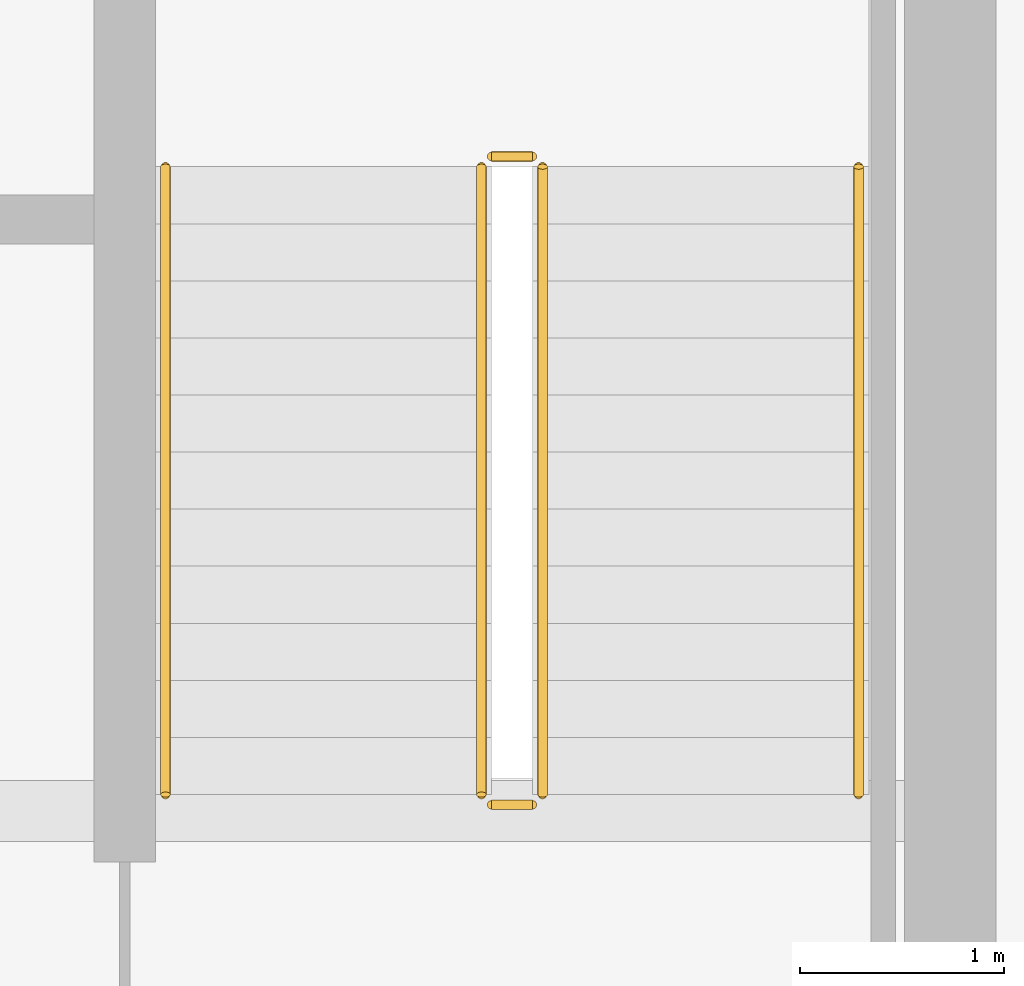
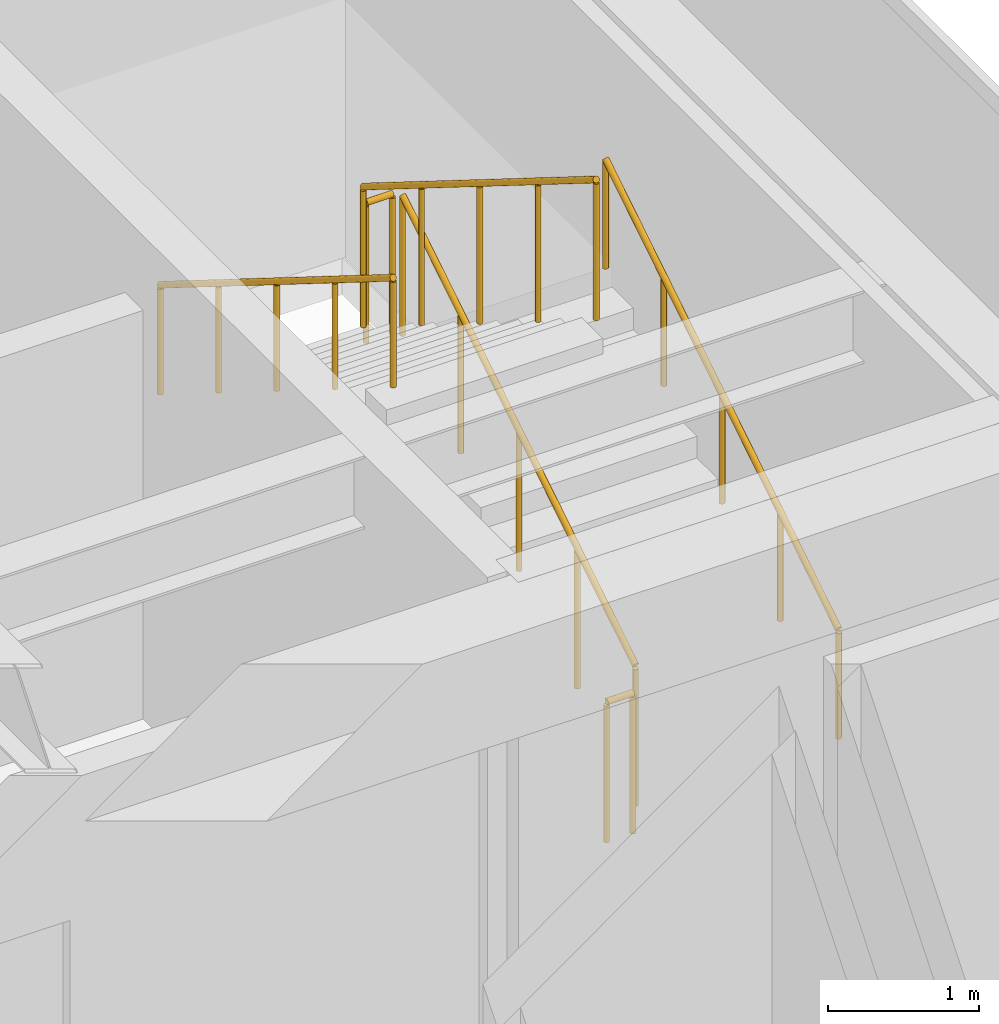
# One storey, part 31 of 32: 6 railings.
"""IFC4 building model written with IfcOpenShell, lengths in metres."""

import ifcopenshell
import ifcopenshell.guid

model = None  # the IFC model being written
_history = None  # IfcOwnerHistory: only IFC2X3 demands one
_inside = {}  # id of a spatial element -> (the spatial element, [elements in it])
_under = {}  # id of a project, library or spatial element -> (it, [spatial elements below it])
_declared = {}  # id of a project -> (the project, [libraries it declares])
_typed = {}  # id of a type object -> (the type object, [elements of that type])
_made_of = {}  # id of a material, layer set ... -> (it, [elements and type objects made of it])


def new_model(schema):
    """Start an empty IFC model of exactly this schema.

    Asked for "IFC4X3", IfcOpenShell would pick the latest addendum, in which some entities
    have other attributes; the version numbers below select the first issue.
    IFC2X3 requires an IfcOwnerHistory on every rooted entity: one is made here for all.
    """
    global model, _history
    if schema == "IFC4X3":
        model = ifcopenshell.file(schema_version=(4, 3, 0, 0))
    else:
        model = ifcopenshell.file(schema=schema)
    _inside.clear()
    _under.clear()
    _declared.clear()
    _typed.clear()
    _made_of.clear()
    _history = None
    if model.schema == "IFC2X3":
        org = make("IfcOrganization", Name="unknown")
        user = make(
            "IfcPersonAndOrganization",
            ThePerson=make("IfcPerson", FamilyName="unknown"),
            TheOrganization=org,
        )
        app = make(
            "IfcApplication",
            ApplicationDeveloper=org,
            Version="unknown",
            ApplicationFullName="unknown",
            ApplicationIdentifier="unknown",
        )
        _history = make(
            "IfcOwnerHistory",
            OwningUser=user,
            OwningApplication=app,
            ChangeAction="ADDED",
            CreationDate=0,
        )
    return model


def make(cls, **values):
    """One entity of the class cls with the attributes given. An attribute that is None is left unset."""
    return model.create_entity(
        cls, **{name: value for name, value in values.items() if value is not None}
    )


def rooted(cls, **values):
    """An entity with a GlobalId (a new one), such as an element, a storey or a relation."""
    return make(cls, GlobalId=ifcopenshell.guid.new(), OwnerHistory=_history, **values)


def si_unit(unit_type, name, prefix=None):
    """IfcSIUnit, for example si_unit("LENGTHUNIT", "METRE", prefix="MILLI")."""
    return make("IfcSIUnit", UnitType=unit_type, Prefix=prefix, Name=name)


def assignment(units):
    """IfcUnitAssignment: the units of a project."""
    return None if units is None else make("IfcUnitAssignment", Units=units)


def point(xyz):
    """IfcCartesianPoint."""
    return None if xyz is None else make("IfcCartesianPoint", Coordinates=xyz)


def direction(xyz):
    """IfcDirection."""
    return None if xyz is None else make("IfcDirection", DirectionRatios=xyz)


def frame(location, z_axis=None, x_axis=None):
    """IfcAxis2Placement3D, a coordinate frame: its origin and axes. An axis left out is left unset."""
    return make(
        "IfcAxis2Placement3D",
        Location=point(location),
        Axis=direction(z_axis),
        RefDirection=direction(x_axis),
    )


def frame_2d(location, x_axis=None):
    """IfcAxis2Placement2D, a coordinate frame in the plane: its origin and x axis."""
    return make(
        "IfcAxis2Placement2D", Location=point(location), RefDirection=direction(x_axis)
    )


def origin():
    """The frame at (0, 0, 0) with its axes left unset."""
    return frame((0.0, 0.0, 0.0))


def origin_2d():
    """The frame at (0, 0) in the plane with its x axis left unset."""
    return frame_2d((0.0, 0.0))


def place(relative_to, where):
    """IfcLocalPlacement: puts the frame where relative to a parent placement (None: the world)."""
    return make(
        "IfcLocalPlacement", PlacementRelTo=relative_to, RelativePlacement=where
    )


def context(
    kind, dimensions, precision=None, world=None, true_north=None, identifier=None
):
    """IfcGeometricRepresentationContext, for example the 3D "Model" context."""
    return make(
        "IfcGeometricRepresentationContext",
        ContextIdentifier=identifier,
        ContextType=kind,
        CoordinateSpaceDimension=dimensions,
        Precision=precision,
        WorldCoordinateSystem=world,
        TrueNorth=true_north,
    )


def subcontext(parent, identifier, kind, view, scale=None):
    """IfcGeometricRepresentationSubContext, for example "Body" below "Model"."""
    return make(
        "IfcGeometricRepresentationSubContext",
        ContextIdentifier=identifier,
        ContextType=kind,
        ParentContext=parent,
        TargetScale=scale,
        TargetView=view,
    )


def project(units=None, contexts=None):
    """IfcProject with its units and contexts."""
    return rooted(
        "IfcProject",
        Name="project",
        RepresentationContexts=contexts,
        UnitsInContext=assignment(units),
    )


def spatial(cls, under=None, at=None, **own):
    """A site, building, storey or space (cls), placed at a placement, below another one or the project."""
    s = rooted(cls, ObjectPlacement=at, **own)
    if under is not None:
        _under.setdefault(under.id(), (under, []))[1].append(s)
    return s


def profile(cls, at=None, kind="AREA", **sizes):
    """A parametric profile (cls). Its sizes go by their IFC names, for example OverallWidth=200.0."""
    return make(cls, ProfileType=kind, Position=at, **sizes)


def circle(**sizes):
    """IfcCircleProfileDef."""
    return profile("IfcCircleProfileDef", **sizes)


def extrude(swept, where, along, depth):
    """IfcExtrudedAreaSolid: the profile swept, set in the frame where, extruded along a direction by depth."""
    return make(
        "IfcExtrudedAreaSolid",
        SweptArea=swept,
        Position=where,
        ExtrudedDirection=direction(along),
        Depth=depth,
    )


def shape(context_of_items, identifier, shape_type, items):
    """IfcShapeRepresentation: the items that make up one representation, for example the "Body"."""
    return make(
        "IfcShapeRepresentation",
        ContextOfItems=context_of_items,
        RepresentationIdentifier=identifier,
        RepresentationType=shape_type,
        Items=items,
    )


def source(mapping_origin, context_of_items, identifier, shape_type, items):
    """IfcRepresentationMap: a shape defined once, which mapped items show again and again."""
    return make(
        "IfcRepresentationMap",
        MappingOrigin=mapping_origin,
        MappedRepresentation=shape(context_of_items, identifier, shape_type, items),
    )


def transform(
    local_origin,
    x_axis=None,
    y_axis=None,
    z_axis=None,
    scale=None,
    scale2=None,
    scale3=None,
    uniform=True,
):
    """IfcCartesianTransformationOperator3D, or its non-uniform kind. x_axis, y_axis, z_axis: its Axis1, 2, 3."""
    if uniform:
        return make(
            "IfcCartesianTransformationOperator3D",
            Axis1=direction(x_axis),
            Axis2=direction(y_axis),
            LocalOrigin=point(local_origin),
            Scale=scale,
            Axis3=direction(z_axis),
        )
    return make(
        "IfcCartesianTransformationOperator3DnonUniform",
        Axis1=direction(x_axis),
        Axis2=direction(y_axis),
        LocalOrigin=point(local_origin),
        Scale=scale,
        Axis3=direction(z_axis),
        Scale2=scale2,
        Scale3=scale3,
    )


def mapped(mapping_source, mapping_target):
    """IfcMappedItem: shows the shape of a source again, moved by a transform."""
    return make(
        "IfcMappedItem", MappingSource=mapping_source, MappingTarget=mapping_target
    )


def material(Name=None, Category=None):
    """IfcMaterial."""
    return make("IfcMaterial", Name=Name, Category=Category)


def made_of(thing, what):
    """Note that an element or type object is made of a material, layer set ...; save() writes the relation."""
    if what is not None:
        _made_of.setdefault(what.id(), (what, []))[1].append(thing)
    return thing


def type_object(cls, material=None, **own):
    """A type object (cls), such as IfcWallType, which elements share."""
    return made_of(rooted(cls, **own), material)


def type_shapes(of_type, sources):
    """Give a type object the sources (RepresentationMaps) that its elements show as mapped items."""
    of_type.RepresentationMaps = sources


def element(
    cls,
    number,
    at=None,
    inside=None,
    cuts=None,
    type_object=None,
    material=None,
    context=None,
    identifier="Body",
    shape_type=None,
    held_by="IfcProductDefinitionShape",
    body=None,
    shapes=None,
    **own,
):
    """One element of the class cls, such as IfcWall. Its Tag is "e" and its number.

    at: its placement. inside: the storey or other place that contains it. cuts: it is an
    opening in that element (IfcRelVoidsElement). A single representation is given by context,
    identifier, shape_type and body (its items); several are given by shapes. held_by: the class
    of the entity that holds the representations. save() writes the other relations.
    """
    e = rooted(cls, Tag="e%d" % number, ObjectPlacement=at, **own)
    if body is not None:
        shapes = [shape(context, identifier, shape_type, body)]
    if shapes is not None:
        e.Representation = make(held_by, Representations=shapes)
    if inside is not None:
        _inside.setdefault(inside.id(), (inside, []))[1].append(e)
    if cuts is not None:
        rooted(
            "IfcRelVoidsElement", RelatingBuildingElement=cuts, RelatedOpeningElement=e
        )
    if type_object is not None:
        _typed.setdefault(type_object.id(), (type_object, []))[1].append(e)
    return made_of(e, material)


def aggregate(whole, parts):
    """IfcRelAggregates: a whole, such as a stair, and the parts it consists of."""
    return rooted("IfcRelAggregates", RelatingObject=whole, RelatedObjects=parts)


def save(model, path):
    """Write the relations noted so far, then the file.

    IfcRelAggregates (storeys below a building ...), IfcRelContainedInSpatialStructure (elements
    in a storey), IfcRelDefinesByType, IfcRelAssociatesMaterial and IfcRelDeclares: one each for
    every whole, place, type object, material and project.
    """
    for whole, parts in _under.values():
        aggregate(whole, parts)
    for where, things in _inside.values():
        rooted(
            "IfcRelContainedInSpatialStructure",
            RelatedElements=things,
            RelatingStructure=where,
        )
    for kind, things in _typed.values():
        rooted("IfcRelDefinesByType", RelatedObjects=things, RelatingType=kind)
    for what, things in _made_of.values():
        rooted("IfcRelAssociatesMaterial", RelatedObjects=things, RelatingMaterial=what)
    for by, libraries in _declared.values():
        rooted("IfcRelDeclares", RelatingContext=by, RelatedDefinitions=libraries)
    model.write(path)


model = new_model("IFC4")

# Units and contexts
model_context = context("Model", 3, precision=1e-05, world=origin(), true_north=direction((0.0, 1.0)))
body_context = subcontext(model_context, "Body", "Model", "MODEL_VIEW")
ifc_project = project(units=[si_unit("LENGTHUNIT", "METRE"), si_unit("AREAUNIT", "SQUARE_METRE"), si_unit("VOLUMEUNIT", "CUBIC_METRE"), si_unit("PLANEANGLEUNIT", "RADIAN"), si_unit("MASSUNIT", "GRAM", prefix="KILO")], contexts=[model_context])

# Site, building, storey
site_placement = place(None, origin())
site = spatial("IfcSite", under=ifc_project, at=site_placement, CompositionType="ELEMENT")
building_placement = place(site_placement, origin())
building = spatial("IfcBuilding", under=site, at=building_placement, Name="Haelvirn Gate Laboratories", CompositionType="ELEMENT")
storey_placement = place(building_placement, frame((0.0, 0.0, 314.39990234375)))
storey = spatial("IfcBuildingStorey", under=building, at=storey_placement, Name="L75", CompositionType="ELEMENT", Elevation=314.39990234375)

# Railings
ifc_material_1 = material(Name="Galvanised steel SM355 & stainless top rail", Category="steel")
railing_type_1 = type_object("IfcRailingType", Name="RL-GUARD-1150", PredefinedType="GUARDRAIL", material=ifc_material_1)
shared_shape_1 = source(origin(), body_context, "Body", "SweptSolid", [
    extrude(circle(Radius=0.02392578125, at=origin_2d()), frame((0.0, 0.0, 1.1259765625), z_axis=(0.0, 0.847998304005, 0.529998940003), x_axis=(-1.0, 0.0, 0.0)), (0.0, 0.0, 1.0), 3.632080078125),
    extrude(circle(Radius=0.02099609375, at=origin_2d()), origin(), (0.0, 0.0, 1.0), 1.101806640625),
    extrude(circle(Radius=0.02099609375, at=origin_2d()), frame((0.0, 0.77001953125, 0.481201171875)), (0.0, 0.0, 1.0), 1.101806640625),
    extrude(circle(Radius=0.02099609375, at=origin_2d()), frame((0.0, 1.5400390625, 0.96240234375)), (0.0, 0.0, 1.0), 1.101806640625),
    extrude(circle(Radius=0.02099609375, at=origin_2d()), frame((0.0, 2.31005859375, 1.44384765625)), (0.0, 0.0, 1.0), 1.101806640625),
    extrude(circle(Radius=0.02099609375, at=origin_2d()), frame((0.0, 3.080078125, 1.925048828125)), (0.0, 0.0, 1.0), 1.101806640625),
])
railing_1_placement = place(storey_placement, frame((65.39990234375, 26.699951171875, 0.175048828125)))
element("IfcRailing", 1, at=railing_1_placement, inside=storey, type_object=railing_type_1, Name="L75 ST2 stair guard 1", PredefinedType="GUARDRAIL", context=body_context, shape_type="MappedRepresentation", body=[
    mapped(shared_shape_1, transform((0.0, 0.0, 0.0), scale=1.0)),
])
shared_shape_2 = source(origin(), body_context, "Body", "SweptSolid", [
    extrude(circle(Radius=0.02392578125, at=origin_2d()), frame((0.0, 0.0, 1.1259765625), z_axis=(0.0, -0.847998304005, 0.529998940003), x_axis=(1.0, 0.0, 0.0)), (0.0, 0.0, 1.0), 3.632080078125),
    extrude(circle(Radius=0.02099609375, at=origin_2d()), origin(), (0.0, 0.0, 1.0), 1.101806640625),
    extrude(circle(Radius=0.02099609375, at=origin_2d()), frame((0.0, -0.77001953125, 0.481201171875)), (0.0, 0.0, 1.0), 1.101806640625),
    extrude(circle(Radius=0.02099609375, at=origin_2d()), frame((0.0, -1.5400390625, 0.96240234375)), (0.0, 0.0, 1.0), 1.101806640625),
    extrude(circle(Radius=0.02099609375, at=origin_2d()), frame((0.0, -2.31005859375, 1.44384765625)), (0.0, 0.0, 1.0), 1.101806640625),
    extrude(circle(Radius=0.02099609375, at=origin_2d()), frame((0.0, -3.080078125, 1.925048828125)), (0.0, 0.0, 1.0), 1.101806640625),
])
railing_2_placement = place(storey_placement, frame((65.10009765625, 29.780029296875, 2.275146484375)))
element("IfcRailing", 2, at=railing_2_placement, inside=storey, type_object=railing_type_1, Name="L75 ST2 stair guard 3", PredefinedType="GUARDRAIL", context=body_context, shape_type="MappedRepresentation", body=[
    mapped(shared_shape_2, transform((0.0, 0.0, 0.0), scale=1.0)),
])
ifc_material_2 = material(Name="Brushed stainless steel 316L", Category="steel")
railing_type_2 = type_object("IfcRailingType", Name="RL-HAND-920", PredefinedType="HANDRAIL", material=ifc_material_2)
shared_shape_3 = source(origin(), body_context, "Body", "SweptSolid", [
    extrude(circle(Radius=0.02392578125, at=origin_2d()), frame((0.0, 0.0, 0.8759765625), z_axis=(0.0, 0.847998304005, 0.529998940003), x_axis=(-1.0, 0.0, 0.0)), (0.0, 0.0, 1.0), 3.632080078125),
    extrude(circle(Radius=0.02099609375, at=origin_2d()), origin(), (0.0, 0.0, 1.0), 0.851806640625),
    extrude(circle(Radius=0.02099609375, at=origin_2d()), frame((0.0, 0.77001953125, 0.481201171875)), (0.0, 0.0, 1.0), 0.851806640625),
    extrude(circle(Radius=0.02099609375, at=origin_2d()), frame((0.0, 1.5400390625, 0.96240234375)), (0.0, 0.0, 1.0), 0.851806640625),
    extrude(circle(Radius=0.02099609375, at=origin_2d()), frame((0.0, 2.31005859375, 1.44384765625)), (0.0, 0.0, 1.0), 0.851806640625),
    extrude(circle(Radius=0.02099609375, at=origin_2d()), frame((0.0, 3.080078125, 1.925048828125)), (0.0, 0.0, 1.0), 0.851806640625),
])
railing_3_placement = place(storey_placement, frame((66.949951171875, 26.699951171875, 0.175048828125)))
element("IfcRailing", 3, at=railing_3_placement, inside=storey, type_object=railing_type_2, Name="L75 ST2 stair handrail 1", PredefinedType="HANDRAIL", context=body_context, shape_type="MappedRepresentation", body=[
    mapped(shared_shape_3, transform((0.0, 0.0, 0.0), scale=1.0)),
])
shared_shape_4 = source(origin(), body_context, "Body", "SweptSolid", [
    extrude(circle(Radius=0.02392578125, at=origin_2d()), frame((0.0, 0.0, 0.8759765625), z_axis=(0.0, -0.847998304005, 0.529998940003), x_axis=(1.0, 0.0, 0.0)), (0.0, 0.0, 1.0), 3.632080078125),
    extrude(circle(Radius=0.02099609375, at=origin_2d()), origin(), (0.0, 0.0, 1.0), 0.851806640625),
    extrude(circle(Radius=0.02099609375, at=origin_2d()), frame((0.0, -0.77001953125, 0.481201171875)), (0.0, 0.0, 1.0), 0.851806640625),
    extrude(circle(Radius=0.02099609375, at=origin_2d()), frame((0.0, -1.5400390625, 0.96240234375)), (0.0, 0.0, 1.0), 0.851806640625),
    extrude(circle(Radius=0.02099609375, at=origin_2d()), frame((0.0, -2.31005859375, 1.44384765625)), (0.0, 0.0, 1.0), 0.851806640625),
    extrude(circle(Radius=0.02099609375, at=origin_2d()), frame((0.0, -3.080078125, 1.925048828125)), (0.0, 0.0, 1.0), 0.851806640625),
])
type_shapes(railing_type_2, [shared_shape_3, shared_shape_4])
railing_4_placement = place(storey_placement, frame((63.550048828125, 29.780029296875, 2.275146484375)))
element("IfcRailing", 4, at=railing_4_placement, inside=storey, type_object=railing_type_2, Name="L75 ST2 stair handrail 2", PredefinedType="HANDRAIL", context=body_context, shape_type="MappedRepresentation", body=[
    mapped(shared_shape_4, transform((0.0, 0.0, 0.0), scale=1.0)),
])
shared_shape_5 = source(origin(), body_context, "Body", "SweptSolid", [
    extrude(circle(Radius=0.02392578125, at=origin_2d()), frame((0.0, 0.0, 1.1259765625), z_axis=(-1.0, 0.0, 0.0), x_axis=(0.0, -1.0, 0.0)), (0.0, 0.0, 1.0), 0.2001953125),
    extrude(circle(Radius=0.02099609375, at=origin_2d()), origin(), (0.0, 0.0, 1.0), 1.101806640625),
    extrude(circle(Radius=0.02099609375, at=origin_2d()), frame((-0.2001953125, 0.0, 0.0)), (0.0, 0.0, 1.0), 1.101806640625),
])
type_shapes(railing_type_1, [shared_shape_1, shared_shape_2, shared_shape_5])
for number, where, name in (
    (5, (65.35009765625, 29.830078125, 2.10009765625), "L75 ST2 stair guard 2"),
    (6, (65.35009765625, 26.64990234375, 0.0), "L75 ST2 stair guard 4"),
):
    element("IfcRailing", number, at=place(storey_placement, frame(where)), inside=storey, type_object=railing_type_1, Name=name, PredefinedType="GUARDRAIL", context=body_context, shape_type="MappedRepresentation", body=[
        mapped(shared_shape_5, transform((0.0, 0.0, 0.0), scale=1.0)),
    ])

save(model, "model.ifc")
